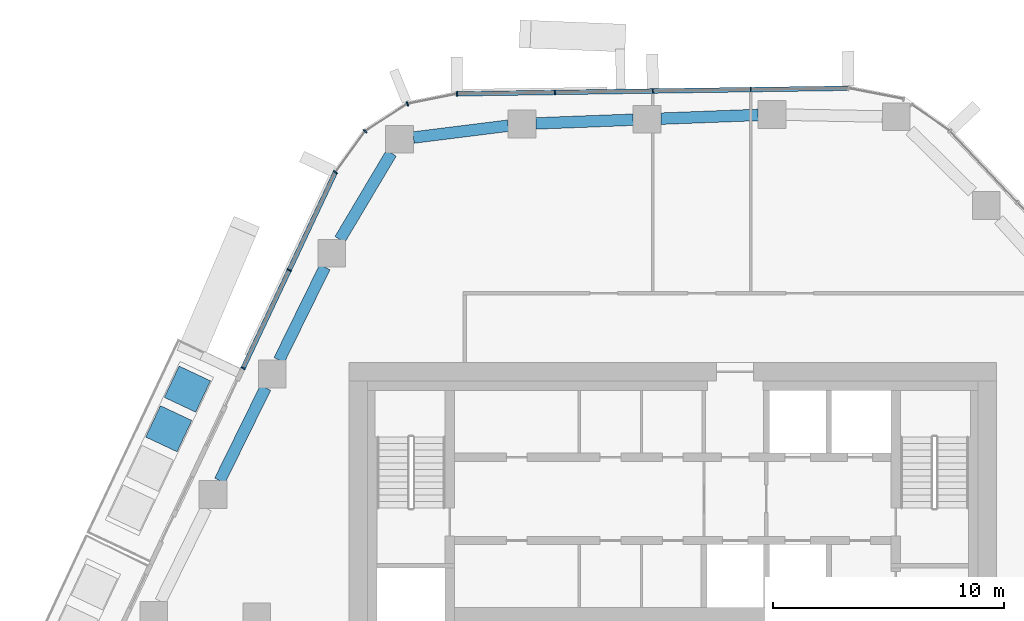
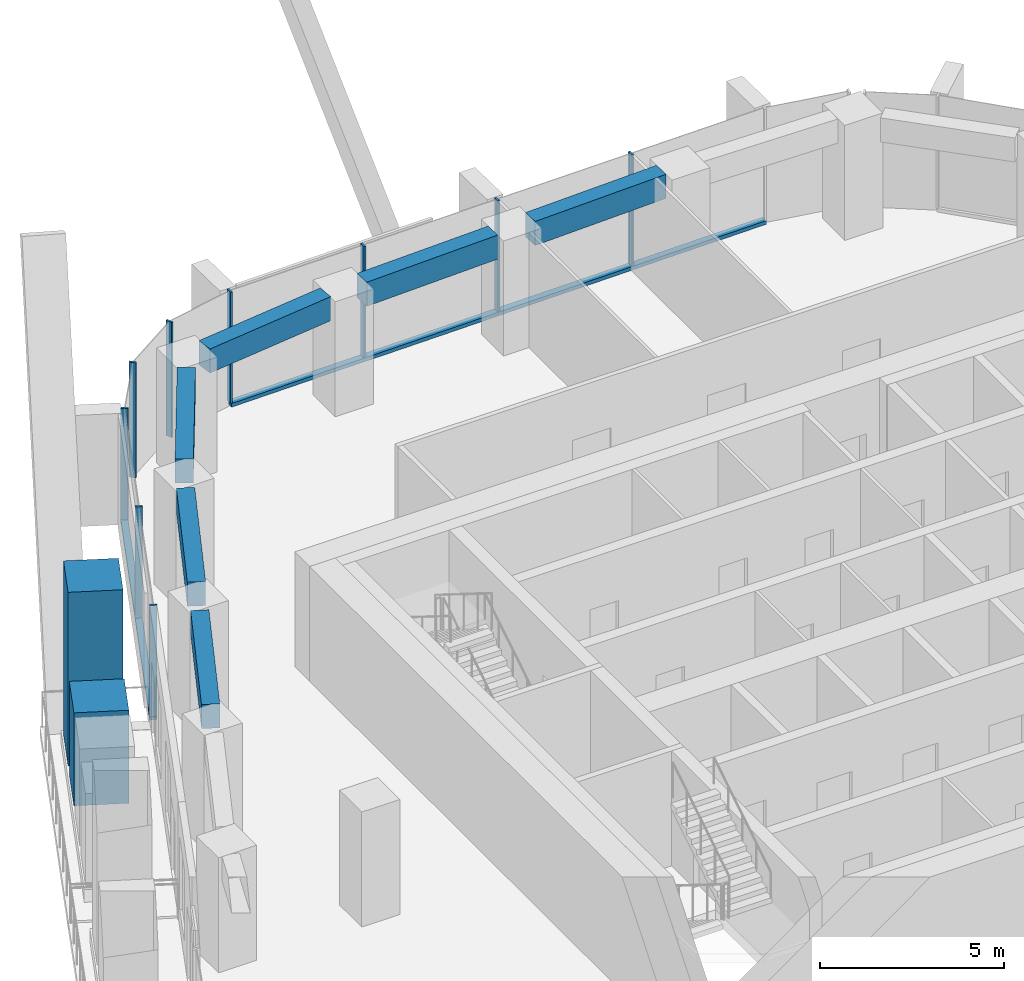
# One storey, part 5 of 18: 13 members, 6 beams, 3 elements without a shape of their own.
"""IFC4 building model written with IfcOpenShell, lengths in metres."""

from ifc_helpers import new_model, si_unit, direction, frame, origin, origin_2d, place, context, subcontext, project, spatial, rectangle, extrude, material, layer, layer_set, material_profile, profile_set, type_object, element, aggregate, save


model = new_model("IFC4")

# Units and contexts
model_context = context("Model", 3, precision=1e-05, world=origin(), true_north=direction((0.0, 1.0)))
body_context = subcontext(model_context, "Body", "Model", "MODEL_VIEW")
ifc_project = project(units=[si_unit("LENGTHUNIT", "METRE"), si_unit("AREAUNIT", "SQUARE_METRE"), si_unit("VOLUMEUNIT", "CUBIC_METRE"), si_unit("PLANEANGLEUNIT", "RADIAN"), si_unit("MASSUNIT", "GRAM", prefix="KILO")], contexts=[model_context])

# Site, building, storey
site_placement = place(None, origin())
site = spatial("IfcSite", under=ifc_project, at=site_placement, CompositionType="ELEMENT")
building_placement = place(site_placement, origin())
building = spatial("IfcBuilding", under=site, at=building_placement, Name="Dongbaek Canopy Tower", CompositionType="ELEMENT")
storey_placement = place(building_placement, frame((0.0, 0.0, 167.0)))
storey = spatial("IfcBuildingStorey", under=building, at=storey_placement, Name="L36", CompositionType="ELEMENT", Elevation=167.0)

# Curtain wall, members
ifc_material_1 = material(Name="Aluminium 6063-T6 pale anodised", Category="aluminium")
ifc_layer = layer(ifc_material_1, 0.199951171875)
ifc_layer_set = layer_set([ifc_layer], Name="CW-1 unitised tower curtain wall")
curtain_wall_type = type_object("IfcCurtainWallType", Name="CW-1 unitised tower curtain wall", PredefinedType="NOTDEFINED", material=ifc_layer_set)
curtain_wall_1_placement = place(storey_placement, origin())
curtain_wall_1 = element("IfcCurtainWall", 1, at=curtain_wall_1_placement, inside=storey, type_object=curtain_wall_type, Name="CW-1 curtain wall F1.1", PredefinedType="NOTDEFINED")
ifc_material_2 = material(Name="Aluminium 6063-T6 pale anodised", Category="aluminium")
ifc_material_profile_1 = material_profile(ifc_material_2, rectangle(XDim=0.199951171875, YDim=0.06005859375, at=origin_2d()), Name="CW-1 mullion 60 x 200")
ifc_profile_set_1 = profile_set([ifc_material_profile_1], Name="Aluminium 6063-T6 pale anodised")
member_type_1 = type_object("IfcMemberType", Name="CW-1 mullion 60 x 200", PredefinedType="MULLION", material=ifc_profile_set_1)
member_1_placement = place(storey_placement, frame((3.375244140625, 22.8095703125, 0.1201171875), z_axis=(0.0, 0.0, 1.0), x_axis=(-0.014277328293, 0.999898073754, 0.0)))
member_1 = element("IfcMember", 2, at=member_1_placement, type_object=member_type_1, Name="CW-1 mullion F1.1.2", PredefinedType="MULLION", context=body_context, shape_type="SweptSolid", body=[
    extrude(rectangle(XDim=0.199951171875, YDim=0.06005859375, at=origin_2d()), origin(), (0.0, 0.0, 1.0), 3.699951171875),
])
member_2_placement = place(storey_placement, frame((-0.864501953125, 22.7490234375, 0.1201171875), z_axis=(0.0, 0.0, 1.0), x_axis=(-0.014277328293, 0.999898073754, 0.0)))
member_2 = element("IfcMember", 3, at=member_2_placement, type_object=member_type_1, Name="CW-1 mullion F1.1.3", PredefinedType="MULLION", context=body_context, shape_type="SweptSolid", body=[
    extrude(rectangle(XDim=0.199951171875, YDim=0.06005859375, at=origin_2d()), origin(), (0.0, 0.0, 1.0), 3.699951171875),
])
member_3_placement = place(storey_placement, frame((-5.104248046875, 22.6884765625, 0.1201171875), z_axis=(0.0, 0.0, 1.0), x_axis=(-0.014277328293, 0.999898073754, 0.0)))
member_3 = element("IfcMember", 4, at=member_3_placement, type_object=member_type_1, Name="CW-1 mullion F1.1.4", PredefinedType="MULLION", context=body_context, shape_type="SweptSolid", body=[
    extrude(rectangle(XDim=0.199951171875, YDim=0.06005859375, at=origin_2d()), origin(), (0.0, 0.0, 1.0), 3.699951171875),
])
member_4_placement = place(storey_placement, frame((-9.334716796875, 22.628173828125, 0.1201171875), z_axis=(0.0, 0.0, 1.0), x_axis=(-0.014277328293, 0.999898073754, 0.0)))
member_4 = element("IfcMember", 5, at=member_4_placement, type_object=member_type_1, Name="CW-1 mullion F1.1.5", PredefinedType="MULLION", context=body_context, shape_type="SweptSolid", body=[
    extrude(rectangle(XDim=0.199951171875, YDim=0.06005859375, at=origin_2d()), origin(), (0.0, 0.0, 1.0), 3.699951171875),
])

curtain_wall_2_placement = place(storey_placement, origin())
curtain_wall_2 = element("IfcCurtainWall", 6, at=curtain_wall_2_placement, inside=storey, type_object=curtain_wall_type, Name="CW-1 curtain wall K2.1", PredefinedType="NOTDEFINED")
member_5_placement = place(storey_placement, frame((-11.482421875, 22.192138671875, 0.0), z_axis=(0.0, 0.0, 1.0), x_axis=(-0.376811935113, 0.926289784871, 0.0)))
member_5 = element("IfcMember", 7, at=member_5_placement, type_object=member_type_1, Name="CW-1 mullion K2.1.2", PredefinedType="MULLION", context=body_context, shape_type="SweptSolid", body=[
    extrude(rectangle(XDim=0.199951171875, YDim=0.06005859375, at=origin_2d()), origin(), (0.0, 0.0, 1.0), 3.820068359375),
])
member_6_placement = place(storey_placement, frame((-13.316650390625, 21.01025390625, 0.0), z_axis=(0.0, 0.0, 1.0), x_axis=(-0.687780008979, 0.725919182312, 0.0)))
member_6 = element("IfcMember", 8, at=member_6_placement, type_object=member_type_1, Name="CW-1 mullion K2.1.3", PredefinedType="MULLION", context=body_context, shape_type="SweptSolid", body=[
    extrude(rectangle(XDim=0.199951171875, YDim=0.06005859375, at=origin_2d()), origin(), (0.0, 0.0, 1.0), 3.820068359375),
])
member_7_placement = place(storey_placement, frame((-14.60107421875, 19.234619140625, 0.0), z_axis=(0.0, 0.0, 1.0), x_axis=(-0.810182611927, 0.586177562972, 0.0)))
member_7 = element("IfcMember", 9, at=member_7_placement, type_object=member_type_1, Name="CW-1 mullion K2.1.4", PredefinedType="MULLION", context=body_context, shape_type="SweptSolid", body=[
    extrude(rectangle(XDim=0.199951171875, YDim=0.06005859375, at=origin_2d()), origin(), (0.0, 0.0, 1.0), 3.820068359375),
])
aggregate(curtain_wall_2, [member_5, member_6, member_7])

curtain_wall_3_placement = place(storey_placement, origin())
curtain_wall_3 = element("IfcCurtainWall", 10, at=curtain_wall_3_placement, inside=storey, type_object=curtain_wall_type, Name="CW-1 curtain wall F2.1", PredefinedType="NOTDEFINED")
member_8_placement = place(storey_placement, frame((-16.59619140625, 15.000244140625, 0.1201171875), z_axis=(0.0, 0.0, 1.0), x_axis=(-0.904625717834, 0.426206887126, 0.0)))
member_8 = element("IfcMember", 11, at=member_8_placement, type_object=member_type_1, Name="CW-1 mullion F2.1.2", PredefinedType="MULLION", context=body_context, shape_type="SweptSolid", body=[
    extrude(rectangle(XDim=0.199951171875, YDim=0.06005859375, at=origin_2d()), origin(), (0.0, 0.0, 1.0), 3.699951171875),
])
member_9_placement = place(storey_placement, frame((-18.59521484375, 10.75732421875, 0.1201171875), z_axis=(0.0, 0.0, 1.0), x_axis=(-0.904625717834, 0.426206887126, 0.0)))
member_9 = element("IfcMember", 12, at=member_9_placement, type_object=member_type_1, Name="CW-1 mullion F2.1.3", PredefinedType="MULLION", context=body_context, shape_type="SweptSolid", body=[
    extrude(rectangle(XDim=0.199951171875, YDim=0.06005859375, at=origin_2d()), origin(), (0.0, 0.0, 1.0), 3.699951171875),
])

# Member
ifc_material_3 = material(Name="Aluminium 6063-T6 pale anodised", Category="aluminium")
ifc_material_profile_2 = material_profile(ifc_material_3, rectangle(XDim=0.199951171875, YDim=0.1201171875, at=origin_2d()), Name="CW-1 transom 120 x 200")
ifc_profile_set_2 = profile_set([ifc_material_profile_2], Name="Aluminium 6063-T6 pale anodised")
member_type_2 = type_object("IfcMemberType", Name="CW-1 transom 120 x 200", PredefinedType="USERDEFINED", material=ifc_profile_set_2)
member_10_placement = place(storey_placement, frame((7.604736328125, 22.869873046875, 0.06005859375), z_axis=(-0.999898221647, -0.014266967016, 0.0), x_axis=(0.014266967016, -0.999898221647, 0.0)))
member_10 = element("IfcMember", 13, at=member_10_placement, type_object=member_type_2, Name="CW-1 transom F1.1.1", ObjectType="TRANSOM", PredefinedType="USERDEFINED", context=body_context, shape_type="SweptSolid", body=[
    extrude(rectangle(XDim=0.199951171875, YDim=0.1201171875, at=origin_2d()), origin(), (0.0, 0.0, 1.0), 16.941162109375),
])

aggregate(curtain_wall_1, [member_1, member_2, member_3, member_4, member_10])

member_11_placement = place(storey_placement, frame((-14.60107421875, 19.234619140625, 0.06005859375), z_axis=(-0.426218553172, -0.904620221381, 0.0), x_axis=(0.904620221381, -0.426218553172, 0.0)))
member_11 = element("IfcMember", 14, at=member_11_placement, type_object=member_type_2, Name="CW-1 transom F2.1.1", ObjectType="TRANSOM", PredefinedType="USERDEFINED", context=body_context, shape_type="SweptSolid", body=[
    extrude(rectangle(XDim=0.199951171875, YDim=0.1201171875, at=origin_2d()), origin(), (0.0, 0.0, 1.0), 9.37109375),
])

aggregate(curtain_wall_3, [member_8, member_9, member_11])

# Beams
ifc_material_4 = material(Name="Concrete C70", Category="concrete")
ifc_material_profile_3 = material_profile(ifc_material_4, rectangle(XDim=0.5, YDim=0.800048828125, at=origin_2d()), Name="RC EDGE BEAM 500x800 C70")
ifc_profile_set_3 = profile_set([ifc_material_profile_3], Name="Concrete C70")
beam_type = type_object("IfcBeamType", Name="RC EDGE BEAM 500x800 C70", PredefinedType="BEAM", material=ifc_profile_set_3)
beam_1_placement = place(storey_placement, frame((-19.6005859375, 5.886962890625, 3.419921875), z_axis=(0.441534821152, 0.897244114893, 0.0), x_axis=(-0.897244114893, 0.441534821152, 0.0)))
element("IfcBeam", 15, at=beam_1_placement, inside=storey, type_object=beam_type, Name="EDGEBEAM:L36:10", PredefinedType="BEAM", context=body_context, shape_type="SweptSolid", body=[
    extrude(rectangle(XDim=0.5, YDim=0.800048828125, at=origin_2d()), origin(), (0.0, 0.0, 1.0), 4.478271484375),
])
beam_2_placement = place(storey_placement, frame((-17.032958984375, 11.10498046875, 3.419921875), z_axis=(0.441228982876, 0.89739455351, 0.0), x_axis=(-0.89739455351, 0.441228982876, 0.0)))
element("IfcBeam", 16, at=beam_2_placement, inside=storey, type_object=beam_type, Name="EDGEBEAM:L36:11", PredefinedType="BEAM", context=body_context, shape_type="SweptSolid", body=[
    extrude(rectangle(XDim=0.5, YDim=0.800048828125, at=origin_2d()), origin(), (0.0, 0.0, 1.0), 4.478515625),
])
beam_3_placement = place(storey_placement, frame((-14.40478515625, 16.323974609375, 3.419921875), z_axis=(0.51151247975, 0.859275848061, 0.0), x_axis=(-0.859275848061, 0.51151247975, 0.0)))
element("IfcBeam", 17, at=beam_3_placement, inside=storey, type_object=beam_type, Name="EDGEBEAM:L36:12", PredefinedType="BEAM", context=body_context, shape_type="SweptSolid", body=[
    extrude(rectangle(XDim=0.5, YDim=0.800048828125, at=origin_2d()), origin(), (0.0, 0.0, 1.0), 4.34912109375),
])
beam_4_placement = place(storey_placement, frame((-11.222900390625, 20.73583984375, 3.419921875), z_axis=(0.992289687294, 0.123940213368, 0.0), x_axis=(-0.123940213368, 0.992289687294, 0.0)))
element("IfcBeam", 18, at=beam_4_placement, inside=storey, type_object=beam_type, Name="EDGEBEAM:L36:13", PredefinedType="BEAM", context=body_context, shape_type="SweptSolid", body=[
    extrude(rectangle(XDim=0.5, YDim=0.800048828125, at=origin_2d()), origin(), (0.0, 0.0, 1.0), 4.1328125),
])
beam_5_placement = place(storey_placement, frame((-5.922119140625, 21.345947265625, 3.419921875), z_axis=(0.999268092878, 0.038252824158, 0.0), x_axis=(-0.038252824158, 0.999268092878, 0.0)))
element("IfcBeam", 19, at=beam_5_placement, inside=storey, type_object=beam_type, Name="EDGEBEAM:L36:14", PredefinedType="BEAM", context=body_context, shape_type="SweptSolid", body=[
    extrude(rectangle(XDim=0.5, YDim=0.800048828125, at=origin_2d()), origin(), (0.0, 0.0, 1.0), 4.21240234375),
])
beam_6_placement = place(storey_placement, frame((-0.512939453125, 21.552978515625, 3.419921875), z_axis=(0.999276508887, 0.0380323387, 0.0), x_axis=(-0.0380323387, 0.999276508887, 0.0)))
element("IfcBeam", 20, at=beam_6_placement, inside=storey, type_object=beam_type, Name="EDGEBEAM:L36:15", PredefinedType="BEAM", context=body_context, shape_type="SweptSolid", body=[
    extrude(rectangle(XDim=0.5, YDim=0.800048828125, at=origin_2d()), origin(), (0.0, 0.0, 1.0), 4.2109375),
])

# Members
ifc_material_5 = material(Name="Concrete C40/50 planter mass with planting", Category="concrete")
ifc_material_profile_4 = material_profile(ifc_material_5, rectangle(XDim=1.5, YDim=1.5, at=origin_2d()), Name="Terrace PLANTER shrub mass 1500 x 1500")
ifc_profile_set_4 = profile_set([ifc_material_profile_4], Name="Concrete C40/50 planter mass with planting")
member_type_3 = type_object("IfcMemberType", Name="Terrace PLANTER shrub mass 1500 x 1500", PredefinedType="USERDEFINED", material=ifc_profile_set_4)
member_12_placement = place(storey_placement, frame((-21.001953125, 9.848876953125, 0.419921875), z_axis=(0.0, 0.0, 1.0), x_axis=(-0.904625717834, 0.426206887126, 0.0)))
element("IfcMember", 21, at=member_12_placement, inside=storey, type_object=member_type_3, Name="Planter tree L36 1.1", ObjectType="PLANTER", PredefinedType="USERDEFINED", context=body_context, shape_type="SweptSolid", body=[
    extrude(rectangle(XDim=1.5, YDim=1.5, at=origin_2d()), origin(), (0.0, 0.0, 1.0), 5.77001953125),
])
member_13_placement = place(storey_placement, frame((-21.809814453125, 8.13427734375, 0.419921875), z_axis=(0.0, 0.0, 1.0), x_axis=(-0.904625717834, 0.426206887126, 0.0)))
element("IfcMember", 22, at=member_13_placement, inside=storey, type_object=member_type_3, Name="Planter shrubs L36 1.2", ObjectType="PLANTER", PredefinedType="USERDEFINED", context=body_context, shape_type="SweptSolid", body=[
    extrude(rectangle(XDim=1.5, YDim=1.5, at=origin_2d()), origin(), (0.0, 0.0, 1.0), 3.090087890625),
])

save(model, "model.ifc")
